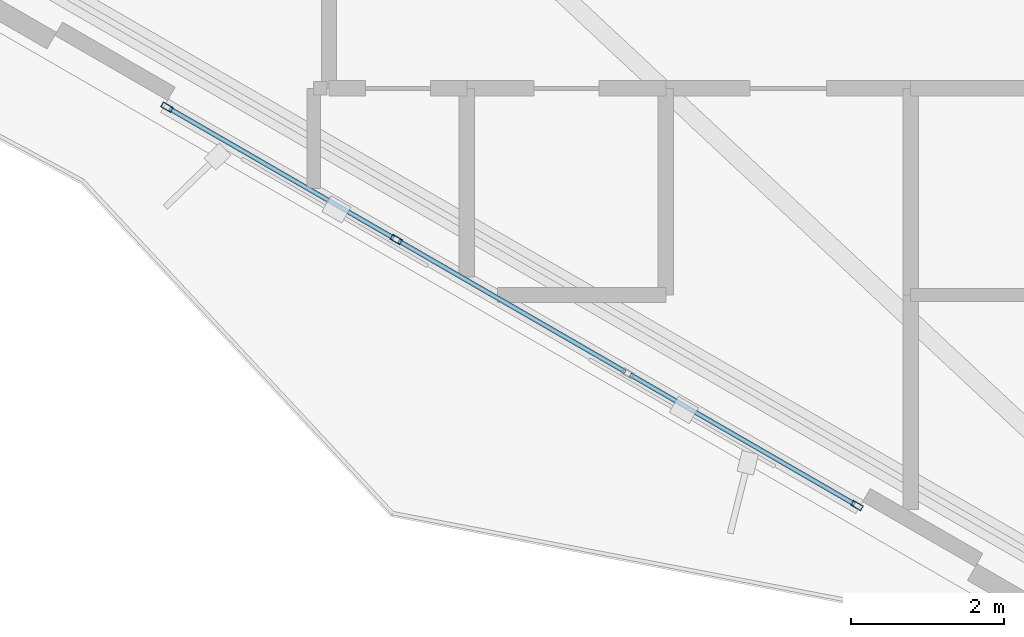
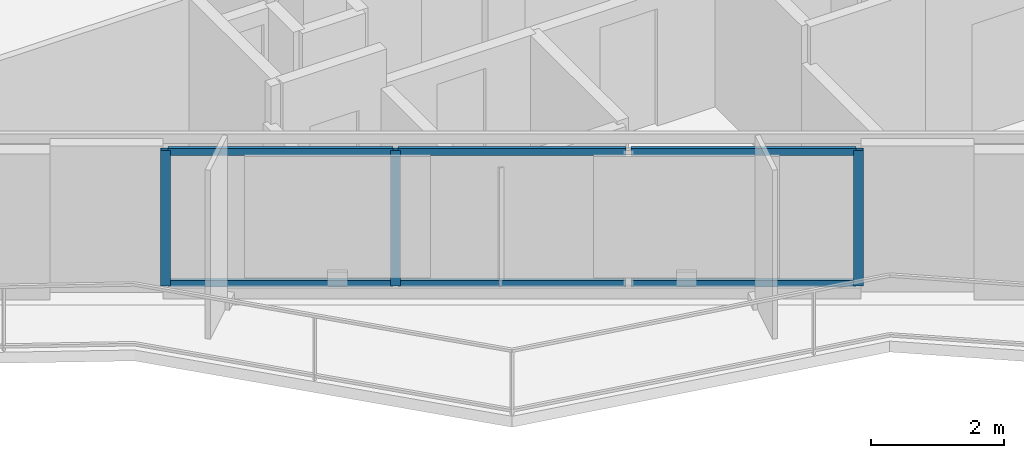
# One storey, part 2 of 19: 9 members, 1 element without a shape of its own.
"""IFC4 building model written with IfcOpenShell, lengths in metres."""

import ifcopenshell
import ifcopenshell.guid

model = None  # the IFC model being written
_history = None  # IfcOwnerHistory: only IFC2X3 demands one
_inside = {}  # id of a spatial element -> (the spatial element, [elements in it])
_under = {}  # id of a project, library or spatial element -> (it, [spatial elements below it])
_declared = {}  # id of a project -> (the project, [libraries it declares])
_typed = {}  # id of a type object -> (the type object, [elements of that type])
_made_of = {}  # id of a material, layer set ... -> (it, [elements and type objects made of it])


def new_model(schema):
    """Start an empty IFC model of exactly this schema.

    Asked for "IFC4X3", IfcOpenShell would pick the latest addendum, in which some entities
    have other attributes; the version numbers below select the first issue.
    IFC2X3 requires an IfcOwnerHistory on every rooted entity: one is made here for all.
    """
    global model, _history
    if schema == "IFC4X3":
        model = ifcopenshell.file(schema_version=(4, 3, 0, 0))
    else:
        model = ifcopenshell.file(schema=schema)
    _inside.clear()
    _under.clear()
    _declared.clear()
    _typed.clear()
    _made_of.clear()
    _history = None
    if model.schema == "IFC2X3":
        org = make("IfcOrganization", Name="unknown")
        user = make(
            "IfcPersonAndOrganization",
            ThePerson=make("IfcPerson", FamilyName="unknown"),
            TheOrganization=org,
        )
        app = make(
            "IfcApplication",
            ApplicationDeveloper=org,
            Version="unknown",
            ApplicationFullName="unknown",
            ApplicationIdentifier="unknown",
        )
        _history = make(
            "IfcOwnerHistory",
            OwningUser=user,
            OwningApplication=app,
            ChangeAction="ADDED",
            CreationDate=0,
        )
    return model


def make(cls, **values):
    """One entity of the class cls with the attributes given. An attribute that is None is left unset."""
    return model.create_entity(
        cls, **{name: value for name, value in values.items() if value is not None}
    )


def rooted(cls, **values):
    """An entity with a GlobalId (a new one), such as an element, a storey or a relation."""
    return make(cls, GlobalId=ifcopenshell.guid.new(), OwnerHistory=_history, **values)


def si_unit(unit_type, name, prefix=None):
    """IfcSIUnit, for example si_unit("LENGTHUNIT", "METRE", prefix="MILLI")."""
    return make("IfcSIUnit", UnitType=unit_type, Prefix=prefix, Name=name)


def assignment(units):
    """IfcUnitAssignment: the units of a project."""
    return None if units is None else make("IfcUnitAssignment", Units=units)


def point(xyz):
    """IfcCartesianPoint."""
    return None if xyz is None else make("IfcCartesianPoint", Coordinates=xyz)


def direction(xyz):
    """IfcDirection."""
    return None if xyz is None else make("IfcDirection", DirectionRatios=xyz)


def frame(location, z_axis=None, x_axis=None):
    """IfcAxis2Placement3D, a coordinate frame: its origin and axes. An axis left out is left unset."""
    return make(
        "IfcAxis2Placement3D",
        Location=point(location),
        Axis=direction(z_axis),
        RefDirection=direction(x_axis),
    )


def frame_2d(location, x_axis=None):
    """IfcAxis2Placement2D, a coordinate frame in the plane: its origin and x axis."""
    return make(
        "IfcAxis2Placement2D", Location=point(location), RefDirection=direction(x_axis)
    )


def origin():
    """The frame at (0, 0, 0) with its axes left unset."""
    return frame((0.0, 0.0, 0.0))


def origin_2d():
    """The frame at (0, 0) in the plane with its x axis left unset."""
    return frame_2d((0.0, 0.0))


def place(relative_to, where):
    """IfcLocalPlacement: puts the frame where relative to a parent placement (None: the world)."""
    return make(
        "IfcLocalPlacement", PlacementRelTo=relative_to, RelativePlacement=where
    )


def context(
    kind, dimensions, precision=None, world=None, true_north=None, identifier=None
):
    """IfcGeometricRepresentationContext, for example the 3D "Model" context."""
    return make(
        "IfcGeometricRepresentationContext",
        ContextIdentifier=identifier,
        ContextType=kind,
        CoordinateSpaceDimension=dimensions,
        Precision=precision,
        WorldCoordinateSystem=world,
        TrueNorth=true_north,
    )


def subcontext(parent, identifier, kind, view, scale=None):
    """IfcGeometricRepresentationSubContext, for example "Body" below "Model"."""
    return make(
        "IfcGeometricRepresentationSubContext",
        ContextIdentifier=identifier,
        ContextType=kind,
        ParentContext=parent,
        TargetScale=scale,
        TargetView=view,
    )


def project(units=None, contexts=None):
    """IfcProject with its units and contexts."""
    return rooted(
        "IfcProject",
        Name="project",
        RepresentationContexts=contexts,
        UnitsInContext=assignment(units),
    )


def spatial(cls, under=None, at=None, **own):
    """A site, building, storey or space (cls), placed at a placement, below another one or the project."""
    s = rooted(cls, ObjectPlacement=at, **own)
    if under is not None:
        _under.setdefault(under.id(), (under, []))[1].append(s)
    return s


def profile(cls, at=None, kind="AREA", **sizes):
    """A parametric profile (cls). Its sizes go by their IFC names, for example OverallWidth=200.0."""
    return make(cls, ProfileType=kind, Position=at, **sizes)


def hollow_rectangle(**sizes):
    """IfcRectangleHollowProfileDef."""
    return profile("IfcRectangleHollowProfileDef", **sizes)


def extrude(swept, where, along, depth):
    """IfcExtrudedAreaSolid: the profile swept, set in the frame where, extruded along a direction by depth."""
    return make(
        "IfcExtrudedAreaSolid",
        SweptArea=swept,
        Position=where,
        ExtrudedDirection=direction(along),
        Depth=depth,
    )


def shape(context_of_items, identifier, shape_type, items):
    """IfcShapeRepresentation: the items that make up one representation, for example the "Body"."""
    return make(
        "IfcShapeRepresentation",
        ContextOfItems=context_of_items,
        RepresentationIdentifier=identifier,
        RepresentationType=shape_type,
        Items=items,
    )


def material(Name=None, Category=None):
    """IfcMaterial."""
    return make("IfcMaterial", Name=Name, Category=Category)


def layer(
    of_material, thickness, ventilated=None, Name=None, Category=None, Priority=None
):
    """IfcMaterialLayer: one layer of a wall or slab, of a material (None: an air gap)."""
    return make(
        "IfcMaterialLayer",
        Material=of_material,
        LayerThickness=thickness,
        IsVentilated=ventilated,
        Name=Name,
        Category=Category,
        Priority=Priority,
    )


def layer_set(layers, Name=None):
    """IfcMaterialLayerSet."""
    return make("IfcMaterialLayerSet", MaterialLayers=layers, LayerSetName=Name)


def material_profile(
    of_material, cross_section, Name=None, Category=None, Priority=None
):
    """IfcMaterialProfile: a cross section and its material."""
    return make(
        "IfcMaterialProfile",
        Name=Name,
        Material=of_material,
        Profile=cross_section,
        Priority=Priority,
        Category=Category,
    )


def profile_set(profiles, Name=None, composite=None):
    """IfcMaterialProfileSet."""
    return make(
        "IfcMaterialProfileSet",
        Name=Name,
        MaterialProfiles=profiles,
        CompositeProfile=composite,
    )


def made_of(thing, what):
    """Note that an element or type object is made of a material, layer set ...; save() writes the relation."""
    if what is not None:
        _made_of.setdefault(what.id(), (what, []))[1].append(thing)
    return thing


def type_object(cls, material=None, **own):
    """A type object (cls), such as IfcWallType, which elements share."""
    return made_of(rooted(cls, **own), material)


def element(
    cls,
    number,
    at=None,
    inside=None,
    cuts=None,
    type_object=None,
    material=None,
    context=None,
    identifier="Body",
    shape_type=None,
    held_by="IfcProductDefinitionShape",
    body=None,
    shapes=None,
    **own,
):
    """One element of the class cls, such as IfcWall. Its Tag is "e" and its number.

    at: its placement. inside: the storey or other place that contains it. cuts: it is an
    opening in that element (IfcRelVoidsElement). A single representation is given by context,
    identifier, shape_type and body (its items); several are given by shapes. held_by: the class
    of the entity that holds the representations. save() writes the other relations.
    """
    e = rooted(cls, Tag="e%d" % number, ObjectPlacement=at, **own)
    if body is not None:
        shapes = [shape(context, identifier, shape_type, body)]
    if shapes is not None:
        e.Representation = make(held_by, Representations=shapes)
    if inside is not None:
        _inside.setdefault(inside.id(), (inside, []))[1].append(e)
    if cuts is not None:
        rooted(
            "IfcRelVoidsElement", RelatingBuildingElement=cuts, RelatedOpeningElement=e
        )
    if type_object is not None:
        _typed.setdefault(type_object.id(), (type_object, []))[1].append(e)
    return made_of(e, material)


def aggregate(whole, parts):
    """IfcRelAggregates: a whole, such as a stair, and the parts it consists of."""
    return rooted("IfcRelAggregates", RelatingObject=whole, RelatedObjects=parts)


def save(model, path):
    """Write the relations noted so far, then the file.

    IfcRelAggregates (storeys below a building ...), IfcRelContainedInSpatialStructure (elements
    in a storey), IfcRelDefinesByType, IfcRelAssociatesMaterial and IfcRelDeclares: one each for
    every whole, place, type object, material and project.
    """
    for whole, parts in _under.values():
        aggregate(whole, parts)
    for where, things in _inside.values():
        rooted(
            "IfcRelContainedInSpatialStructure",
            RelatedElements=things,
            RelatingStructure=where,
        )
    for kind, things in _typed.values():
        rooted("IfcRelDefinesByType", RelatedObjects=things, RelatingType=kind)
    for what, things in _made_of.values():
        rooted("IfcRelAssociatesMaterial", RelatedObjects=things, RelatingMaterial=what)
    for by, libraries in _declared.values():
        rooted("IfcRelDeclares", RelatingContext=by, RelatedDefinitions=libraries)
    model.write(path)


model = new_model("IFC4")

# Units and contexts
model_context = context("Model", 3, precision=1e-05, world=origin(), true_north=direction((0.0, 1.0)))
body_context = subcontext(model_context, "Body", "Model", "MODEL_VIEW")
ifc_project = project(units=[si_unit("LENGTHUNIT", "METRE"), si_unit("AREAUNIT", "SQUARE_METRE"), si_unit("VOLUMEUNIT", "CUBIC_METRE"), si_unit("PLANEANGLEUNIT", "RADIAN"), si_unit("MASSUNIT", "GRAM", prefix="KILO")], contexts=[model_context])

# Site, building, storey
site_placement = place(None, origin())
site = spatial("IfcSite", under=ifc_project, at=site_placement, CompositionType="ELEMENT")
building_placement = place(site_placement, origin())
building = spatial("IfcBuilding", under=site, at=building_placement, Name="Mersakhor Tower and Convention Hall", CompositionType="ELEMENT")
storey_placement = place(building_placement, frame((0.0, 0.0, 131.10009765625)))
storey = spatial("IfcBuildingStorey", under=building, at=storey_placement, Name="L36", CompositionType="ELEMENT", Elevation=131.10009765625)

# Curtain wall, members
ifc_material_1 = material(Name="Dark solar low-E aluminium curtain wall", Category="aluminium")
ifc_layer = layer(ifc_material_1, 0.169921875)
ifc_layer_set = layer_set([ifc_layer], Name="Dark solar low-E aluminium curtain wall")
curtain_wall_type = type_object("IfcCurtainWallType", Name="CW-SYS-02", PredefinedType="USERDEFINED", material=ifc_layer_set)
curtain_wall_placement = place(storey_placement, origin())
curtain_wall = element("IfcCurtainWall", 1, at=curtain_wall_placement, inside=storey, type_object=curtain_wall_type, Name="L36 Dark-Glass Curtain Wall F3-B2", ObjectType="CURTAIN WALL", PredefinedType="USERDEFINED")
ifc_material_2 = material(Name="Anodised aluminium EN AW-6063 T6", Category="aluminium")
ifc_material_profile_1 = material_profile(ifc_material_2, hollow_rectangle(XDim=0.074951171875, YDim=0.14990234375, WallThickness=0.00634765625, at=origin_2d()), Name="RHS 150x75x6.3")
ifc_profile_set_1 = profile_set([ifc_material_profile_1], Name="Anodised aluminium EN AW-6063 T6")
member_type_1 = type_object("IfcMemberType", Name="CWM-150x75", PredefinedType="MULLION", material=ifc_profile_set_1)
member_1_placement = place(storey_placement, frame((26.8984375, 12.69921875, 0.199951171875), z_axis=(0.0, 0.0, 1.0), x_axis=(-0.499990468363, -0.866030906807, 0.0)))
member_1 = element("IfcMember", 2, at=member_1_placement, type_object=member_type_1, Name="CW-02 mullion 1", PredefinedType="MULLION", context=body_context, shape_type="SweptSolid", body=[
    extrude(hollow_rectangle(XDim=0.074951171875, YDim=0.14990234375, WallThickness=0.00634765625, at=origin_2d()), origin(), (0.0, 0.0, 1.0), 2.47998046875),
])
member_2_placement = place(storey_placement, frame((20.876953125, 16.17578125, 0.199951171875), z_axis=(0.0, 0.0, 1.0), x_axis=(-0.499990468363, -0.866030906807, 0.0)))
member_2 = element("IfcMember", 3, at=member_2_placement, type_object=member_type_1, Name="CW-02 mullion 3", PredefinedType="MULLION", context=body_context, shape_type="SweptSolid", body=[
    extrude(hollow_rectangle(XDim=0.074951171875, YDim=0.14990234375, WallThickness=0.00634765625, at=origin_2d()), origin(), (0.0, 0.0, 1.0), 2.47998046875),
])
member_3_placement = place(storey_placement, frame((17.88232421875, 17.904541015625, 0.199951171875), z_axis=(0.0, 0.0, 1.0), x_axis=(-0.499990468363, -0.866030906807, 0.0)))
member_3 = element("IfcMember", 4, at=member_3_placement, type_object=member_type_1, Name="CW-02 mullion 4", PredefinedType="MULLION", context=body_context, shape_type="SweptSolid", body=[
    extrude(hollow_rectangle(XDim=0.074951171875, YDim=0.14990234375, WallThickness=0.00634765625, at=origin_2d()), origin(), (0.0, 0.0, 1.0), 2.47998046875),
])
ifc_material_3 = material(Name="Anodised aluminium EN AW-6063 T6", Category="aluminium")
ifc_material_profile_2 = material_profile(ifc_material_3, hollow_rectangle(XDim=0.06005859375, YDim=0.1201171875, WallThickness=0.0048828125, at=origin_2d()), Name="RHS 120x60x5")
ifc_profile_set_2 = profile_set([ifc_material_profile_2], Name="Anodised aluminium EN AW-6063 T6")
member_type_2 = type_object("IfcMemberType", Name="CWT-120x60", PredefinedType="USERDEFINED", material=ifc_profile_set_2)
member_4_placement = place(storey_placement, frame((26.865966796875, 12.718017578125, 0.22998046875), z_axis=(-0.866044963944, 0.49996611928, 0.0), x_axis=(-0.49996611928, -0.866044963944, 0.0)))
member_4 = element("IfcMember", 5, at=member_4_placement, type_object=member_type_2, Name="CW-02 transom 1.1", ObjectType="TRANSOM", PredefinedType="USERDEFINED", context=body_context, shape_type="SweptSolid", body=[
    extrude(hollow_rectangle(XDim=0.06005859375, YDim=0.1201171875, WallThickness=0.0048828125, at=origin_2d()), origin(), (0.0, 0.0, 1.0), 3.382568359375),
])
member_5_placement = place(storey_placement, frame((26.865966796875, 12.718017578125, 2.64990234375), z_axis=(-0.866044963944, 0.49996611928, 0.0), x_axis=(-0.49996611928, -0.866044963944, 0.0)))
member_5 = element("IfcMember", 6, at=member_5_placement, type_object=member_type_2, Name="CW-02 transom 1.2", ObjectType="TRANSOM", PredefinedType="USERDEFINED", context=body_context, shape_type="SweptSolid", body=[
    extrude(hollow_rectangle(XDim=0.06005859375, YDim=0.1201171875, WallThickness=0.0048828125, at=origin_2d()), origin(), (0.0, 0.0, 1.0), 3.382568359375),
])
member_6_placement = place(storey_placement, frame((23.871337890625, 14.44677734375, 0.22998046875), z_axis=(-0.866007273829, 0.50003140069, 0.0), x_axis=(-0.50003140069, -0.866007273829, 0.0)))
member_6 = element("IfcMember", 7, at=member_6_placement, type_object=member_type_2, Name="CW-02 transom 2.1", ObjectType="TRANSOM", PredefinedType="USERDEFINED", context=body_context, shape_type="SweptSolid", body=[
    extrude(hollow_rectangle(XDim=0.06005859375, YDim=0.1201171875, WallThickness=0.0048828125, at=origin_2d()), origin(), (0.0, 0.0, 1.0), 3.420166015625),
])
member_7_placement = place(storey_placement, frame((23.871337890625, 14.44677734375, 2.64990234375), z_axis=(-0.866007273829, 0.50003140069, 0.0), x_axis=(-0.50003140069, -0.866007273829, 0.0)))
member_7 = element("IfcMember", 8, at=member_7_placement, type_object=member_type_2, Name="CW-02 transom 2.2", ObjectType="TRANSOM", PredefinedType="USERDEFINED", context=body_context, shape_type="SweptSolid", body=[
    extrude(hollow_rectangle(XDim=0.06005859375, YDim=0.1201171875, WallThickness=0.0048828125, at=origin_2d()), origin(), (0.0, 0.0, 1.0), 3.420166015625),
])
member_8_placement = place(storey_placement, frame((20.844482421875, 16.1943359375, 0.22998046875), z_axis=(-0.866031754707, 0.499988999718, 0.0), x_axis=(-0.499988999718, -0.866031754707, 0.0)))
member_8 = element("IfcMember", 9, at=member_8_placement, type_object=member_type_2, Name="CW-02 transom 3.1", ObjectType="TRANSOM", PredefinedType="USERDEFINED", context=body_context, shape_type="SweptSolid", body=[
    extrude(hollow_rectangle(XDim=0.06005859375, YDim=0.1201171875, WallThickness=0.0048828125, at=origin_2d()), origin(), (0.0, 0.0, 1.0), 3.3828125),
])
member_9_placement = place(storey_placement, frame((20.844482421875, 16.1943359375, 2.64990234375), z_axis=(-0.866031754707, 0.499988999718, 0.0), x_axis=(-0.499988999718, -0.866031754707, 0.0)))
member_9 = element("IfcMember", 10, at=member_9_placement, type_object=member_type_2, Name="CW-02 transom 3.2", ObjectType="TRANSOM", PredefinedType="USERDEFINED", context=body_context, shape_type="SweptSolid", body=[
    extrude(hollow_rectangle(XDim=0.06005859375, YDim=0.1201171875, WallThickness=0.0048828125, at=origin_2d()), origin(), (0.0, 0.0, 1.0), 3.3828125),
])
aggregate(curtain_wall, [member_1, member_2, member_3, member_4, member_5, member_6, member_7, member_8, member_9])

save(model, "model.ifc")
